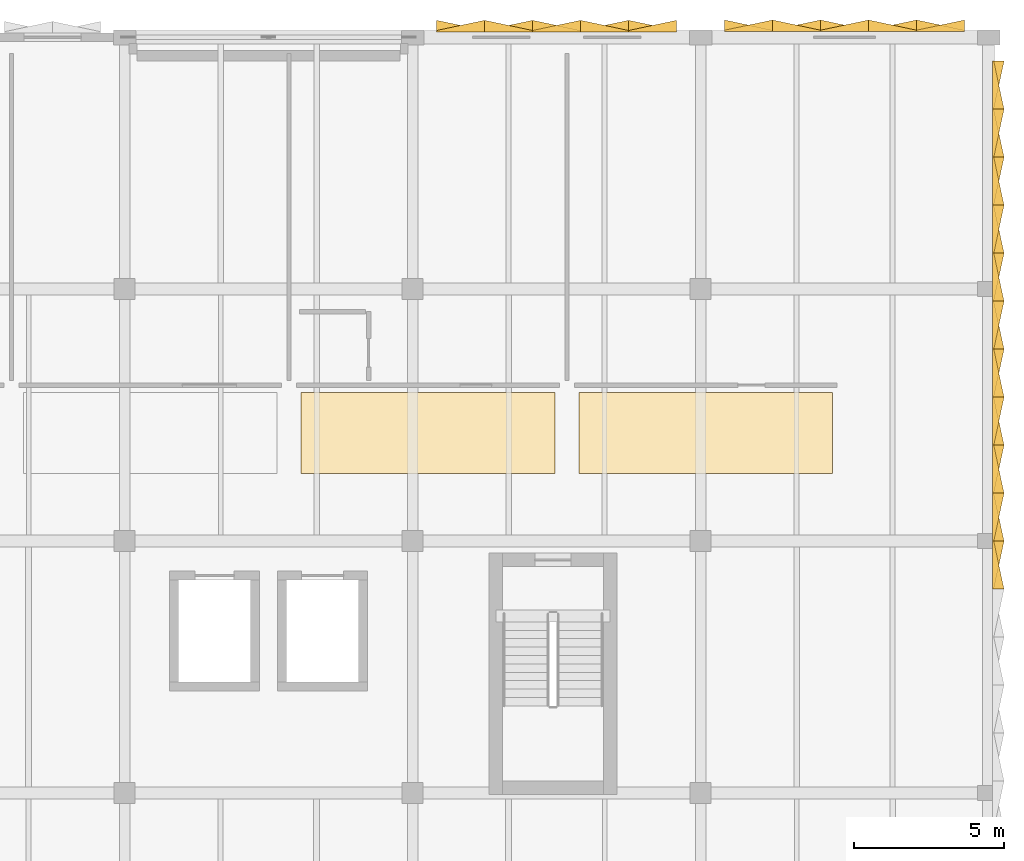
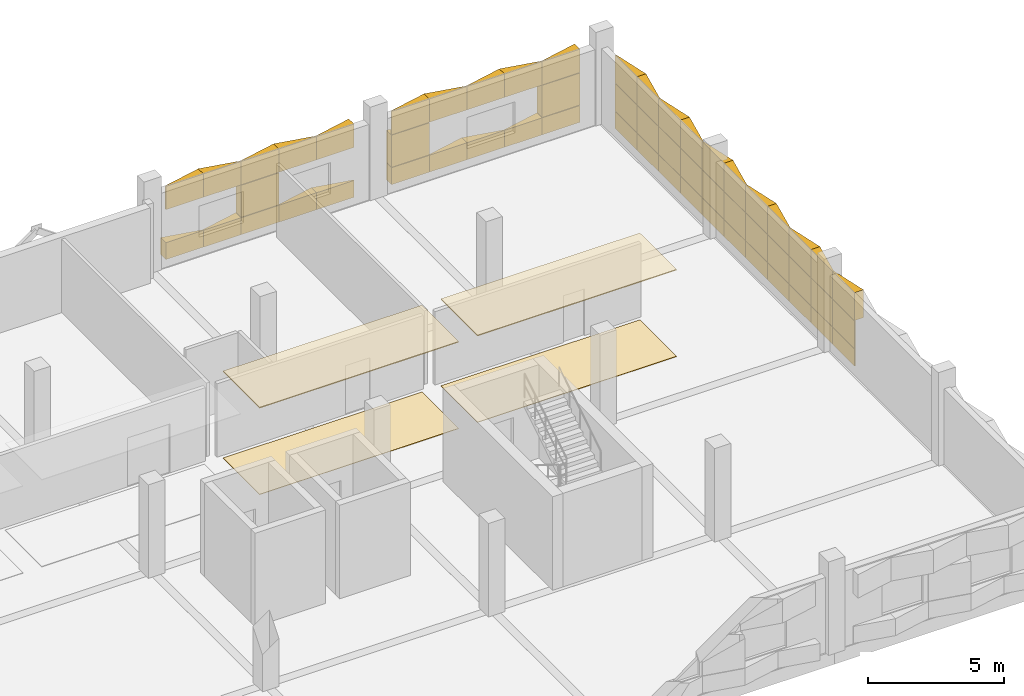
# One storey, part 24 of 24: 60 coverings.
"""IFC4 building model written with IfcOpenShell, lengths in metres."""

from ifc_helpers import new_model, si_unit, direction, frame, origin, place, context, subcontext, project, spatial, polyline, outline, extrude, material, layer, layer_set, type_object, element, save


model = new_model("IFC4")

# Units and contexts
model_context = context("Model", 3, precision=1e-05, world=origin(), true_north=direction((0.0, 1.0)))
body_context = subcontext(model_context, "Body", "Model", "MODEL_VIEW")
ifc_project = project(units=[si_unit("LENGTHUNIT", "METRE"), si_unit("AREAUNIT", "SQUARE_METRE"), si_unit("VOLUMEUNIT", "CUBIC_METRE"), si_unit("PLANEANGLEUNIT", "RADIAN"), si_unit("MASSUNIT", "GRAM", prefix="KILO")], contexts=[model_context])

# Site, building, storey
site_placement = place(None, origin())
site = spatial("IfcSite", under=ifc_project, at=site_placement, CompositionType="ELEMENT")
building_placement = place(site_placement, origin())
building = spatial("IfcBuilding", under=site, at=building_placement, Name="Oolite Switchyard Hospital", CompositionType="ELEMENT")
storey_placement = place(building_placement, frame((0.0, 0.0, 22.0)))
storey = spatial("IfcBuildingStorey", under=building, at=storey_placement, Name="L05", CompositionType="ELEMENT", Elevation=22.0)

# Coverings
ifc_material_1 = material(Name="Hygienic washable mineral-fibre acoustic ceiling")
ifc_layer_1 = layer(ifc_material_1, 0.0400390625)
ifc_layer_set_1 = layer_set([ifc_layer_1], Name="COV-CEIL-AC60")
covering_type_1 = type_object("IfcCoveringType", Name="COV-CEIL-AC60", PredefinedType="CEILING", material=ifc_layer_set_1)
covering_1_placement = place(storey_placement, frame((0.0, 0.0, 3.885009765625)))
element("IfcCovering", 1, at=covering_1_placement, inside=storey, type_object=covering_type_1, Name="L05 East Cardiothoracic Step-Down Corridor Ceiling 6", PredefinedType="CEILING", context=body_context, shape_type="SweptSolid", body=[
    extrude(outline(polyline([(188.284912109375, 119.85009765625), (196.741943359375, 119.85009765625), (196.741943359375, 122.550048828125), (188.284912109375, 122.550048828125), (188.284912109375, 119.85009765625)])), origin(), (0.0, 0.0, 1.0), 0.0400390625),
])
covering_2_placement = place(storey_placement, frame((0.0, 0.0, 3.885009765625)))
element("IfcCovering", 2, at=covering_2_placement, inside=storey, type_object=covering_type_1, Name="L05 East Cardiothoracic Step-Down Corridor Ceiling 7", PredefinedType="CEILING", context=body_context, shape_type="SweptSolid", body=[
    extrude(outline(polyline([(197.5419921875, 119.85009765625), (205.9990234375, 119.85009765625), (205.9990234375, 122.550048828125), (197.5419921875, 122.550048828125), (197.5419921875, 119.85009765625)])), origin(), (0.0, 0.0, 1.0), 0.0400390625),
])
ifc_material_2 = material(Name="Precast oolitic limestone architectural concrete C40/50", Category="masonry")
covering_type_2 = type_object("IfcCoveringType", Name="COV-CHEV-COOL", PredefinedType="CLADDING", material=ifc_material_2)
covering_3_placement = place(storey_placement, frame((192.800048828125, 134.580078125, 0.050048828125), z_axis=(0.0, 0.0, 1.0), x_axis=(1.0, 0.0, 0.0)))
element("IfcCovering", 3, at=covering_3_placement, inside=storey, type_object=covering_type_2, Name="L05 Chevron Precast Oolite Panel 1216", PredefinedType="CLADDING", context=body_context, shape_type="SweptSolid", body=[
    extrude(outline(polyline([(0.0, 0.0), (1.599853515625, 0.0), (1.599853515625, 0.044921875), (0.0, 0.385009765625), (0.0, 0.0)])), origin(), (0.0, 0.0, 1.0), 0.760009765625),
])
covering_4_placement = place(storey_placement, frame((192.800048828125, 134.580078125, 2.2900390625), z_axis=(0.0, 0.0, 1.0), x_axis=(1.0, 0.0, 0.0)))
element("IfcCovering", 4, at=covering_4_placement, inside=storey, type_object=covering_type_2, Name="L05 Chevron Precast Oolite Panel 1217", PredefinedType="CLADDING", context=body_context, shape_type="SweptSolid", body=[
    extrude(outline(polyline([(0.0, 0.0), (1.599853515625, 0.0), (1.599853515625, 0.385009765625), (0.0, 0.044921875), (0.0, 0.0)])), origin(), (0.0, 0.0, 1.0), 1.050048828125),
])
covering_5_placement = place(storey_placement, frame((194.39990234375, 134.580078125, 0.050048828125), z_axis=(0.0, 0.0, 1.0), x_axis=(1.0, 0.0, 0.0)))
element("IfcCovering", 5, at=covering_5_placement, inside=storey, type_object=covering_type_2, Name="L05 Chevron Precast Oolite Panel 1218", PredefinedType="CLADDING", context=body_context, shape_type="SweptSolid", body=[
    extrude(outline(polyline([(0.0, 0.0), (1.60009765625, 0.0), (1.60009765625, 0.385009765625), (0.0, 0.044921875), (0.0, 0.0)])), origin(), (0.0, 0.0, 1.0), 0.760009765625),
])
covering_6_placement = place(storey_placement, frame((194.39990234375, 134.580078125, 2.2900390625), z_axis=(0.0, 0.0, 1.0), x_axis=(1.0, 0.0, 0.0)))
element("IfcCovering", 6, at=covering_6_placement, inside=storey, type_object=covering_type_2, Name="L05 Chevron Precast Oolite Panel 1219", PredefinedType="CLADDING", context=body_context, shape_type="SweptSolid", body=[
    extrude(outline(polyline([(0.0, 0.0), (1.60009765625, 0.0), (1.60009765625, 0.044921875), (0.0, 0.385009765625), (0.0, 0.0)])), origin(), (0.0, 0.0, 1.0), 1.050048828125),
])
covering_7_placement = place(storey_placement, frame((196.0, 134.580078125, 0.050048828125), z_axis=(0.0, 0.0, 1.0), x_axis=(1.0, 0.0, 0.0)))
element("IfcCovering", 7, at=covering_7_placement, inside=storey, type_object=covering_type_2, Name="L05 Chevron Precast Oolite Panel 1220", PredefinedType="CLADDING", context=body_context, shape_type="SweptSolid", body=[
    extrude(outline(polyline([(0.0, 0.0), (1.60009765625, 0.0), (1.60009765625, 0.044921875), (0.0, 0.385009765625), (0.0, 0.0)])), origin(), (0.0, 0.0, 1.0), 0.760009765625),
])
covering_8_placement = place(storey_placement, frame((196.0, 134.580078125, 2.2900390625), z_axis=(0.0, 0.0, 1.0), x_axis=(1.0, 0.0, 0.0)))
element("IfcCovering", 8, at=covering_8_placement, inside=storey, type_object=covering_type_2, Name="L05 Chevron Precast Oolite Panel 1221", PredefinedType="CLADDING", context=body_context, shape_type="SweptSolid", body=[
    extrude(outline(polyline([(0.0, 0.0), (1.60009765625, 0.0), (1.60009765625, 0.385009765625), (0.0, 0.044921875), (0.0, 0.0)])), origin(), (0.0, 0.0, 1.0), 1.050048828125),
])
covering_9_placement = place(storey_placement, frame((196.0, 134.580078125, 0.830078125), z_axis=(0.0, 0.0, 1.0), x_axis=(1.0, 0.0, 0.0)))
element("IfcCovering", 9, at=covering_9_placement, inside=storey, type_object=covering_type_2, Name="L05 Chevron Precast Oolite Panel 1222", PredefinedType="CLADDING", context=body_context, shape_type="SweptSolid", body=[
    extrude(outline(polyline([(0.0, 0.0), (1.60009765625, 0.0), (1.60009765625, 0.044921875), (0.0, 0.385009765625), (0.0, 0.0)])), origin(), (0.0, 0.0, 1.0), 1.43994140625),
])
covering_10_placement = place(storey_placement, frame((197.60009765625, 134.580078125, 0.050048828125), z_axis=(0.0, 0.0, 1.0), x_axis=(1.0, 0.0, 0.0)))
element("IfcCovering", 10, at=covering_10_placement, inside=storey, type_object=covering_type_2, Name="L05 Chevron Precast Oolite Panel 1223", PredefinedType="CLADDING", context=body_context, shape_type="SweptSolid", body=[
    extrude(outline(polyline([(0.0, 0.0), (1.599853515625, 0.0), (1.599853515625, 0.385009765625), (0.0, 0.044921875), (0.0, 0.0)])), origin(), (0.0, 0.0, 1.0), 0.760009765625),
])
covering_11_placement = place(storey_placement, frame((197.60009765625, 134.580078125, 2.2900390625), z_axis=(0.0, 0.0, 1.0), x_axis=(1.0, 0.0, 0.0)))
element("IfcCovering", 11, at=covering_11_placement, inside=storey, type_object=covering_type_2, Name="L05 Chevron Precast Oolite Panel 1224", PredefinedType="CLADDING", context=body_context, shape_type="SweptSolid", body=[
    extrude(outline(polyline([(0.0, 0.0), (1.599853515625, 0.0), (1.599853515625, 0.044921875), (0.0, 0.385009765625), (0.0, 0.0)])), origin(), (0.0, 0.0, 1.0), 1.050048828125),
])
covering_12_placement = place(storey_placement, frame((199.199951171875, 134.580078125, 0.050048828125), z_axis=(0.0, 0.0, 1.0), x_axis=(1.0, 0.0, 0.0)))
element("IfcCovering", 12, at=covering_12_placement, inside=storey, type_object=covering_type_2, Name="L05 Chevron Precast Oolite Panel 1225", PredefinedType="CLADDING", context=body_context, shape_type="SweptSolid", body=[
    extrude(outline(polyline([(0.0, 0.0), (1.60009765625, 0.0), (1.60009765625, 0.044921875), (0.0, 0.385009765625), (0.0, 0.0)])), origin(), (0.0, 0.0, 1.0), 0.760009765625),
])
covering_13_placement = place(storey_placement, frame((199.199951171875, 134.580078125, 2.2900390625), z_axis=(0.0, 0.0, 1.0), x_axis=(1.0, 0.0, 0.0)))
element("IfcCovering", 13, at=covering_13_placement, inside=storey, type_object=covering_type_2, Name="L05 Chevron Precast Oolite Panel 1226", PredefinedType="CLADDING", context=body_context, shape_type="SweptSolid", body=[
    extrude(outline(polyline([(0.0, 0.0), (1.60009765625, 0.0), (1.60009765625, 0.385009765625), (0.0, 0.044921875), (0.0, 0.0)])), origin(), (0.0, 0.0, 1.0), 1.050048828125),
])
covering_14_placement = place(storey_placement, frame((202.39990234375, 134.590087890625, 0.050048828125), z_axis=(0.0, 0.0, 1.0), x_axis=(1.0, 0.0, 0.0)))
element("IfcCovering", 14, at=covering_14_placement, inside=storey, type_object=covering_type_2, Name="L05 Chevron Precast Oolite Panel 1227", PredefinedType="CLADDING", context=body_context, shape_type="SweptSolid", body=[
    extrude(outline(polyline([(0.0, 0.0), (1.60009765625, 0.0), (1.60009765625, 0.044921875), (0.0, 0.385009765625), (0.0, 0.0)])), origin(), (0.0, 0.0, 1.0), 0.760009765625),
])
covering_15_placement = place(storey_placement, frame((202.39990234375, 134.590087890625, 2.2900390625), z_axis=(0.0, 0.0, 1.0), x_axis=(1.0, 0.0, 0.0)))
element("IfcCovering", 15, at=covering_15_placement, inside=storey, type_object=covering_type_2, Name="L05 Chevron Precast Oolite Panel 1228", PredefinedType="CLADDING", context=body_context, shape_type="SweptSolid", body=[
    extrude(outline(polyline([(0.0, 0.0), (1.60009765625, 0.0), (1.60009765625, 0.385009765625), (0.0, 0.044921875), (0.0, 0.0)])), origin(), (0.0, 0.0, 1.0), 1.050048828125),
])
covering_16_placement = place(storey_placement, frame((202.39990234375, 134.590087890625, 0.830078125), z_axis=(0.0, 0.0, 1.0), x_axis=(1.0, 0.0, 0.0)))
element("IfcCovering", 16, at=covering_16_placement, inside=storey, type_object=covering_type_2, Name="L05 Chevron Precast Oolite Panel 1229", PredefinedType="CLADDING", context=body_context, shape_type="SweptSolid", body=[
    extrude(outline(polyline([(0.0, 0.0), (1.60009765625, 0.0), (1.60009765625, 0.044921875), (0.0, 0.385009765625), (0.0, 0.0)])), origin(), (0.0, 0.0, 1.0), 1.43994140625),
])
covering_17_placement = place(storey_placement, frame((204.0, 134.590087890625, 0.050048828125), z_axis=(0.0, 0.0, 1.0), x_axis=(1.0, 0.0, 0.0)))
element("IfcCovering", 17, at=covering_17_placement, inside=storey, type_object=covering_type_2, Name="L05 Chevron Precast Oolite Panel 1230", PredefinedType="CLADDING", context=body_context, shape_type="SweptSolid", body=[
    extrude(outline(polyline([(0.0, 0.0), (1.60009765625, 0.0), (1.60009765625, 0.385009765625), (0.0, 0.044921875), (0.0, 0.0)])), origin(), (0.0, 0.0, 1.0), 0.760009765625),
])
covering_18_placement = place(storey_placement, frame((204.0, 134.590087890625, 2.2900390625), z_axis=(0.0, 0.0, 1.0), x_axis=(1.0, 0.0, 0.0)))
element("IfcCovering", 18, at=covering_18_placement, inside=storey, type_object=covering_type_2, Name="L05 Chevron Precast Oolite Panel 1231", PredefinedType="CLADDING", context=body_context, shape_type="SweptSolid", body=[
    extrude(outline(polyline([(0.0, 0.0), (1.60009765625, 0.0), (1.60009765625, 0.044921875), (0.0, 0.385009765625), (0.0, 0.0)])), origin(), (0.0, 0.0, 1.0), 1.050048828125),
])
covering_19_placement = place(storey_placement, frame((205.60009765625, 134.590087890625, 0.050048828125), z_axis=(0.0, 0.0, 1.0), x_axis=(1.0, 0.0, 0.0)))
element("IfcCovering", 19, at=covering_19_placement, inside=storey, type_object=covering_type_2, Name="L05 Chevron Precast Oolite Panel 1232", PredefinedType="CLADDING", context=body_context, shape_type="SweptSolid", body=[
    extrude(outline(polyline([(0.0, 0.0), (1.599853515625, 0.0), (1.599853515625, 0.044921875), (0.0, 0.385009765625), (0.0, 0.0)])), origin(), (0.0, 0.0, 1.0), 0.760009765625),
])
covering_20_placement = place(storey_placement, frame((205.60009765625, 134.590087890625, 2.2900390625), z_axis=(0.0, 0.0, 1.0), x_axis=(1.0, 0.0, 0.0)))
element("IfcCovering", 20, at=covering_20_placement, inside=storey, type_object=covering_type_2, Name="L05 Chevron Precast Oolite Panel 1233", PredefinedType="CLADDING", context=body_context, shape_type="SweptSolid", body=[
    extrude(outline(polyline([(0.0, 0.0), (1.599853515625, 0.0), (1.599853515625, 0.385009765625), (0.0, 0.044921875), (0.0, 0.0)])), origin(), (0.0, 0.0, 1.0), 1.050048828125),
])
covering_21_placement = place(storey_placement, frame((207.199951171875, 134.590087890625, 0.050048828125), z_axis=(0.0, 0.0, 1.0), x_axis=(1.0, 0.0, 0.0)))
element("IfcCovering", 21, at=covering_21_placement, inside=storey, type_object=covering_type_2, Name="L05 Chevron Precast Oolite Panel 1234", PredefinedType="CLADDING", context=body_context, shape_type="SweptSolid", body=[
    extrude(outline(polyline([(0.0, 0.0), (1.60009765625, 0.0), (1.60009765625, 0.385009765625), (0.0, 0.044921875), (0.0, 0.0)])), origin(), (0.0, 0.0, 1.0), 0.760009765625),
])
covering_22_placement = place(storey_placement, frame((207.199951171875, 134.590087890625, 2.2900390625), z_axis=(0.0, 0.0, 1.0), x_axis=(1.0, 0.0, 0.0)))
element("IfcCovering", 22, at=covering_22_placement, inside=storey, type_object=covering_type_2, Name="L05 Chevron Precast Oolite Panel 1235", PredefinedType="CLADDING", context=body_context, shape_type="SweptSolid", body=[
    extrude(outline(polyline([(0.0, 0.0), (1.60009765625, 0.0), (1.60009765625, 0.044921875), (0.0, 0.385009765625), (0.0, 0.0)])), origin(), (0.0, 0.0, 1.0), 1.050048828125),
])
covering_23_placement = place(storey_placement, frame((208.800048828125, 134.590087890625, 0.050048828125), z_axis=(0.0, 0.0, 1.0), x_axis=(1.0, 0.0, 0.0)))
element("IfcCovering", 23, at=covering_23_placement, inside=storey, type_object=covering_type_2, Name="L05 Chevron Precast Oolite Panel 1236", PredefinedType="CLADDING", context=body_context, shape_type="SweptSolid", body=[
    extrude(outline(polyline([(0.0, 0.0), (1.599853515625, 0.0), (1.599853515625, 0.044921875), (0.0, 0.385009765625), (0.0, 0.0)])), origin(), (0.0, 0.0, 1.0), 0.760009765625),
])
covering_24_placement = place(storey_placement, frame((208.800048828125, 134.590087890625, 2.2900390625), z_axis=(0.0, 0.0, 1.0), x_axis=(1.0, 0.0, 0.0)))
element("IfcCovering", 24, at=covering_24_placement, inside=storey, type_object=covering_type_2, Name="L05 Chevron Precast Oolite Panel 1237", PredefinedType="CLADDING", context=body_context, shape_type="SweptSolid", body=[
    extrude(outline(polyline([(0.0, 0.0), (1.599853515625, 0.0), (1.599853515625, 0.385009765625), (0.0, 0.044921875), (0.0, 0.0)])), origin(), (0.0, 0.0, 1.0), 1.050048828125),
])
covering_25_placement = place(storey_placement, frame((208.800048828125, 134.590087890625, 0.830078125), z_axis=(0.0, 0.0, 1.0), x_axis=(1.0, 0.0, 0.0)))
element("IfcCovering", 25, at=covering_25_placement, inside=storey, type_object=covering_type_2, Name="L05 Chevron Precast Oolite Panel 1238", PredefinedType="CLADDING", context=body_context, shape_type="SweptSolid", body=[
    extrude(outline(polyline([(0.0, 0.0), (1.599853515625, 0.0), (1.599853515625, 0.044921875), (0.0, 0.385009765625), (0.0, 0.0)])), origin(), (0.0, 0.0, 1.0), 1.43994140625),
])
covering_26_placement = place(storey_placement, frame((211.330078125, 133.60009765625, 0.050048828125), z_axis=(0.0, 0.0, 1.0), x_axis=(0.0, -1.0, 0.0)))
element("IfcCovering", 26, at=covering_26_placement, inside=storey, type_object=covering_type_2, Name="L05 Chevron Precast Oolite Panel 1302", PredefinedType="CLADDING", context=body_context, shape_type="SweptSolid", body=[
    extrude(outline(polyline([(0.0, 0.0), (1.60009765625, 0.0), (1.60009765625, 0.044921875), (0.0, 0.385009765625), (0.0, 0.0)])), origin(), (0.0, 0.0, 1.0), 0.760009765625),
])
covering_27_placement = place(storey_placement, frame((211.330078125, 133.60009765625, 2.090087890625), z_axis=(0.0, 0.0, 1.0), x_axis=(0.0, -1.0, 0.0)))
element("IfcCovering", 27, at=covering_27_placement, inside=storey, type_object=covering_type_2, Name="L05 Chevron Precast Oolite Panel 1303", PredefinedType="CLADDING", context=body_context, shape_type="SweptSolid", body=[
    extrude(outline(polyline([(0.0, 0.0), (1.60009765625, 0.0), (1.60009765625, 0.385009765625), (0.0, 0.044921875), (0.0, 0.0)])), origin(), (0.0, 0.0, 1.0), 1.25),
])
covering_28_placement = place(storey_placement, frame((211.330078125, 133.60009765625, 0.830078125), z_axis=(0.0, 0.0, 1.0), x_axis=(0.0, -1.0, 0.0)))
element("IfcCovering", 28, at=covering_28_placement, inside=storey, type_object=covering_type_2, Name="L05 Chevron Precast Oolite Panel 1304", PredefinedType="CLADDING", context=body_context, shape_type="SweptSolid", body=[
    extrude(outline(polyline([(0.0, 0.0), (1.60009765625, 0.0), (1.60009765625, 0.044921875), (0.0, 0.385009765625), (0.0, 0.0)])), origin(), (0.0, 0.0, 1.0), 1.239990234375),
])
covering_29_placement = place(storey_placement, frame((211.330078125, 132.0, 0.050048828125), z_axis=(0.0, 0.0, 1.0), x_axis=(0.0, -1.0, 0.0)))
element("IfcCovering", 29, at=covering_29_placement, inside=storey, type_object=covering_type_2, Name="L05 Chevron Precast Oolite Panel 1305", PredefinedType="CLADDING", context=body_context, shape_type="SweptSolid", body=[
    extrude(outline(polyline([(0.0, 0.0), (1.60009765625, 0.0), (1.60009765625, 0.385009765625), (0.0, 0.044921875), (0.0, 0.0)])), origin(), (0.0, 0.0, 1.0), 0.760009765625),
])
covering_30_placement = place(storey_placement, frame((211.330078125, 132.0, 2.090087890625), z_axis=(0.0, 0.0, 1.0), x_axis=(0.0, -1.0, 0.0)))
element("IfcCovering", 30, at=covering_30_placement, inside=storey, type_object=covering_type_2, Name="L05 Chevron Precast Oolite Panel 1306", PredefinedType="CLADDING", context=body_context, shape_type="SweptSolid", body=[
    extrude(outline(polyline([(0.0, 0.0), (1.60009765625, 0.0), (1.60009765625, 0.044921875), (0.0, 0.385009765625), (0.0, 0.0)])), origin(), (0.0, 0.0, 1.0), 1.25),
])
covering_31_placement = place(storey_placement, frame((211.330078125, 132.0, 0.830078125), z_axis=(0.0, 0.0, 1.0), x_axis=(0.0, -1.0, 0.0)))
element("IfcCovering", 31, at=covering_31_placement, inside=storey, type_object=covering_type_2, Name="L05 Chevron Precast Oolite Panel 1307", PredefinedType="CLADDING", context=body_context, shape_type="SweptSolid", body=[
    extrude(outline(polyline([(0.0, 0.0), (1.60009765625, 0.0), (1.60009765625, 0.385009765625), (0.0, 0.044921875), (0.0, 0.0)])), origin(), (0.0, 0.0, 1.0), 1.239990234375),
])
covering_32_placement = place(storey_placement, frame((211.330078125, 130.39990234375, 0.050048828125), z_axis=(0.0, 0.0, 1.0), x_axis=(0.0, -1.0, 0.0)))
element("IfcCovering", 32, at=covering_32_placement, inside=storey, type_object=covering_type_2, Name="L05 Chevron Precast Oolite Panel 1308", PredefinedType="CLADDING", context=body_context, shape_type="SweptSolid", body=[
    extrude(outline(polyline([(0.0, 0.0), (1.599853515625, 0.0), (1.599853515625, 0.044921875), (0.0, 0.385009765625), (0.0, 0.0)])), origin(), (0.0, 0.0, 1.0), 0.760009765625),
])
covering_33_placement = place(storey_placement, frame((211.330078125, 130.39990234375, 2.090087890625), z_axis=(0.0, 0.0, 1.0), x_axis=(0.0, -1.0, 0.0)))
element("IfcCovering", 33, at=covering_33_placement, inside=storey, type_object=covering_type_2, Name="L05 Chevron Precast Oolite Panel 1309", PredefinedType="CLADDING", context=body_context, shape_type="SweptSolid", body=[
    extrude(outline(polyline([(0.0, 0.0), (1.599853515625, 0.0), (1.599853515625, 0.385009765625), (0.0, 0.044921875), (0.0, 0.0)])), origin(), (0.0, 0.0, 1.0), 1.25),
])
covering_34_placement = place(storey_placement, frame((211.330078125, 130.39990234375, 0.830078125), z_axis=(0.0, 0.0, 1.0), x_axis=(0.0, -1.0, 0.0)))
element("IfcCovering", 34, at=covering_34_placement, inside=storey, type_object=covering_type_2, Name="L05 Chevron Precast Oolite Panel 1310", PredefinedType="CLADDING", context=body_context, shape_type="SweptSolid", body=[
    extrude(outline(polyline([(0.0, 0.0), (1.599853515625, 0.0), (1.599853515625, 0.044921875), (0.0, 0.385009765625), (0.0, 0.0)])), origin(), (0.0, 0.0, 1.0), 1.239990234375),
])
covering_35_placement = place(storey_placement, frame((211.330078125, 128.800048828125, 0.050048828125), z_axis=(0.0, 0.0, 1.0), x_axis=(0.0, -1.0, 0.0)))
element("IfcCovering", 35, at=covering_35_placement, inside=storey, type_object=covering_type_2, Name="L05 Chevron Precast Oolite Panel 1311", PredefinedType="CLADDING", context=body_context, shape_type="SweptSolid", body=[
    extrude(outline(polyline([(0.0, 0.0), (1.60009765625, 0.0), (1.60009765625, 0.385009765625), (0.0, 0.044921875), (0.0, 0.0)])), origin(), (0.0, 0.0, 1.0), 0.760009765625),
])
covering_36_placement = place(storey_placement, frame((211.330078125, 128.800048828125, 2.090087890625), z_axis=(0.0, 0.0, 1.0), x_axis=(0.0, -1.0, 0.0)))
element("IfcCovering", 36, at=covering_36_placement, inside=storey, type_object=covering_type_2, Name="L05 Chevron Precast Oolite Panel 1312", PredefinedType="CLADDING", context=body_context, shape_type="SweptSolid", body=[
    extrude(outline(polyline([(0.0, 0.0), (1.60009765625, 0.0), (1.60009765625, 0.044921875), (0.0, 0.385009765625), (0.0, 0.0)])), origin(), (0.0, 0.0, 1.0), 1.25),
])
covering_37_placement = place(storey_placement, frame((211.330078125, 128.800048828125, 0.830078125), z_axis=(0.0, 0.0, 1.0), x_axis=(0.0, -1.0, 0.0)))
element("IfcCovering", 37, at=covering_37_placement, inside=storey, type_object=covering_type_2, Name="L05 Chevron Precast Oolite Panel 1313", PredefinedType="CLADDING", context=body_context, shape_type="SweptSolid", body=[
    extrude(outline(polyline([(0.0, 0.0), (1.60009765625, 0.0), (1.60009765625, 0.385009765625), (0.0, 0.044921875), (0.0, 0.0)])), origin(), (0.0, 0.0, 1.0), 1.239990234375),
])
covering_38_placement = place(storey_placement, frame((211.330078125, 127.199951171875, 0.050048828125), z_axis=(0.0, 0.0, 1.0), x_axis=(0.0, -1.0, 0.0)))
element("IfcCovering", 38, at=covering_38_placement, inside=storey, type_object=covering_type_2, Name="L05 Chevron Precast Oolite Panel 1314", PredefinedType="CLADDING", context=body_context, shape_type="SweptSolid", body=[
    extrude(outline(polyline([(0.0, 0.0), (1.599853515625, 0.0), (1.599853515625, 0.044921875), (0.0, 0.385009765625), (0.0, 0.0)])), origin(), (0.0, 0.0, 1.0), 0.760009765625),
])
covering_39_placement = place(storey_placement, frame((211.330078125, 127.199951171875, 2.090087890625), z_axis=(0.0, 0.0, 1.0), x_axis=(0.0, -1.0, 0.0)))
element("IfcCovering", 39, at=covering_39_placement, inside=storey, type_object=covering_type_2, Name="L05 Chevron Precast Oolite Panel 1315", PredefinedType="CLADDING", context=body_context, shape_type="SweptSolid", body=[
    extrude(outline(polyline([(0.0, 0.0), (1.599853515625, 0.0), (1.599853515625, 0.385009765625), (0.0, 0.044921875), (0.0, 0.0)])), origin(), (0.0, 0.0, 1.0), 1.25),
])
covering_40_placement = place(storey_placement, frame((211.330078125, 127.199951171875, 0.830078125), z_axis=(0.0, 0.0, 1.0), x_axis=(0.0, -1.0, 0.0)))
element("IfcCovering", 40, at=covering_40_placement, inside=storey, type_object=covering_type_2, Name="L05 Chevron Precast Oolite Panel 1316", PredefinedType="CLADDING", context=body_context, shape_type="SweptSolid", body=[
    extrude(outline(polyline([(0.0, 0.0), (1.599853515625, 0.0), (1.599853515625, 0.044921875), (0.0, 0.385009765625), (0.0, 0.0)])), origin(), (0.0, 0.0, 1.0), 1.239990234375),
])
covering_41_placement = place(storey_placement, frame((211.330078125, 125.60009765625, 0.050048828125), z_axis=(0.0, 0.0, 1.0), x_axis=(0.0, -1.0, 0.0)))
element("IfcCovering", 41, at=covering_41_placement, inside=storey, type_object=covering_type_2, Name="L05 Chevron Precast Oolite Panel 1317", PredefinedType="CLADDING", context=body_context, shape_type="SweptSolid", body=[
    extrude(outline(polyline([(0.0, 0.0), (1.60009765625, 0.0), (1.60009765625, 0.385009765625), (0.0, 0.044921875), (0.0, 0.0)])), origin(), (0.0, 0.0, 1.0), 0.760009765625),
])
covering_42_placement = place(storey_placement, frame((211.330078125, 125.60009765625, 2.090087890625), z_axis=(0.0, 0.0, 1.0), x_axis=(0.0, -1.0, 0.0)))
element("IfcCovering", 42, at=covering_42_placement, inside=storey, type_object=covering_type_2, Name="L05 Chevron Precast Oolite Panel 1318", PredefinedType="CLADDING", context=body_context, shape_type="SweptSolid", body=[
    extrude(outline(polyline([(0.0, 0.0), (1.60009765625, 0.0), (1.60009765625, 0.044921875), (0.0, 0.385009765625), (0.0, 0.0)])), origin(), (0.0, 0.0, 1.0), 1.25),
])
covering_43_placement = place(storey_placement, frame((211.330078125, 125.60009765625, 0.830078125), z_axis=(0.0, 0.0, 1.0), x_axis=(0.0, -1.0, 0.0)))
element("IfcCovering", 43, at=covering_43_placement, inside=storey, type_object=covering_type_2, Name="L05 Chevron Precast Oolite Panel 1319", PredefinedType="CLADDING", context=body_context, shape_type="SweptSolid", body=[
    extrude(outline(polyline([(0.0, 0.0), (1.60009765625, 0.0), (1.60009765625, 0.385009765625), (0.0, 0.044921875), (0.0, 0.0)])), origin(), (0.0, 0.0, 1.0), 1.239990234375),
])
covering_44_placement = place(storey_placement, frame((211.330078125, 124.0, 0.050048828125), z_axis=(0.0, 0.0, 1.0), x_axis=(0.0, -1.0, 0.0)))
element("IfcCovering", 44, at=covering_44_placement, inside=storey, type_object=covering_type_2, Name="L05 Chevron Precast Oolite Panel 1320", PredefinedType="CLADDING", context=body_context, shape_type="SweptSolid", body=[
    extrude(outline(polyline([(0.0, 0.0), (1.60009765625, 0.0), (1.60009765625, 0.044921875), (0.0, 0.385009765625), (0.0, 0.0)])), origin(), (0.0, 0.0, 1.0), 0.760009765625),
])
covering_45_placement = place(storey_placement, frame((211.330078125, 124.0, 2.090087890625), z_axis=(0.0, 0.0, 1.0), x_axis=(0.0, -1.0, 0.0)))
element("IfcCovering", 45, at=covering_45_placement, inside=storey, type_object=covering_type_2, Name="L05 Chevron Precast Oolite Panel 1321", PredefinedType="CLADDING", context=body_context, shape_type="SweptSolid", body=[
    extrude(outline(polyline([(0.0, 0.0), (1.60009765625, 0.0), (1.60009765625, 0.385009765625), (0.0, 0.044921875), (0.0, 0.0)])), origin(), (0.0, 0.0, 1.0), 1.25),
])
covering_46_placement = place(storey_placement, frame((211.330078125, 124.0, 0.830078125), z_axis=(0.0, 0.0, 1.0), x_axis=(0.0, -1.0, 0.0)))
element("IfcCovering", 46, at=covering_46_placement, inside=storey, type_object=covering_type_2, Name="L05 Chevron Precast Oolite Panel 1322", PredefinedType="CLADDING", context=body_context, shape_type="SweptSolid", body=[
    extrude(outline(polyline([(0.0, 0.0), (1.60009765625, 0.0), (1.60009765625, 0.044921875), (0.0, 0.385009765625), (0.0, 0.0)])), origin(), (0.0, 0.0, 1.0), 1.239990234375),
])
covering_47_placement = place(storey_placement, frame((211.330078125, 122.39990234375, 0.050048828125), z_axis=(0.0, 0.0, 1.0), x_axis=(0.0, -1.0, 0.0)))
element("IfcCovering", 47, at=covering_47_placement, inside=storey, type_object=covering_type_2, Name="L05 Chevron Precast Oolite Panel 1323", PredefinedType="CLADDING", context=body_context, shape_type="SweptSolid", body=[
    extrude(outline(polyline([(0.0, 0.0), (1.599853515625, 0.0), (1.599853515625, 0.385009765625), (0.0, 0.044921875), (0.0, 0.0)])), origin(), (0.0, 0.0, 1.0), 0.760009765625),
])
covering_48_placement = place(storey_placement, frame((211.330078125, 122.39990234375, 2.090087890625), z_axis=(0.0, 0.0, 1.0), x_axis=(0.0, -1.0, 0.0)))
element("IfcCovering", 48, at=covering_48_placement, inside=storey, type_object=covering_type_2, Name="L05 Chevron Precast Oolite Panel 1324", PredefinedType="CLADDING", context=body_context, shape_type="SweptSolid", body=[
    extrude(outline(polyline([(0.0, 0.0), (1.599853515625, 0.0), (1.599853515625, 0.044921875), (0.0, 0.385009765625), (0.0, 0.0)])), origin(), (0.0, 0.0, 1.0), 1.25),
])
covering_49_placement = place(storey_placement, frame((211.330078125, 122.39990234375, 0.830078125), z_axis=(0.0, 0.0, 1.0), x_axis=(0.0, -1.0, 0.0)))
element("IfcCovering", 49, at=covering_49_placement, inside=storey, type_object=covering_type_2, Name="L05 Chevron Precast Oolite Panel 1325", PredefinedType="CLADDING", context=body_context, shape_type="SweptSolid", body=[
    extrude(outline(polyline([(0.0, 0.0), (1.599853515625, 0.0), (1.599853515625, 0.385009765625), (0.0, 0.044921875), (0.0, 0.0)])), origin(), (0.0, 0.0, 1.0), 1.239990234375),
])
covering_50_placement = place(storey_placement, frame((211.330078125, 120.800048828125, 0.050048828125), z_axis=(0.0, 0.0, 1.0), x_axis=(0.0, -1.0, 0.0)))
element("IfcCovering", 50, at=covering_50_placement, inside=storey, type_object=covering_type_2, Name="L05 Chevron Precast Oolite Panel 1326", PredefinedType="CLADDING", context=body_context, shape_type="SweptSolid", body=[
    extrude(outline(polyline([(0.0, 0.0), (1.60009765625, 0.0), (1.60009765625, 0.044921875), (0.0, 0.385009765625), (0.0, 0.0)])), origin(), (0.0, 0.0, 1.0), 0.760009765625),
])
covering_51_placement = place(storey_placement, frame((211.330078125, 120.800048828125, 2.090087890625), z_axis=(0.0, 0.0, 1.0), x_axis=(0.0, -1.0, 0.0)))
element("IfcCovering", 51, at=covering_51_placement, inside=storey, type_object=covering_type_2, Name="L05 Chevron Precast Oolite Panel 1327", PredefinedType="CLADDING", context=body_context, shape_type="SweptSolid", body=[
    extrude(outline(polyline([(0.0, 0.0), (1.60009765625, 0.0), (1.60009765625, 0.385009765625), (0.0, 0.044921875), (0.0, 0.0)])), origin(), (0.0, 0.0, 1.0), 1.25),
])
covering_52_placement = place(storey_placement, frame((211.330078125, 120.800048828125, 0.830078125), z_axis=(0.0, 0.0, 1.0), x_axis=(0.0, -1.0, 0.0)))
element("IfcCovering", 52, at=covering_52_placement, inside=storey, type_object=covering_type_2, Name="L05 Chevron Precast Oolite Panel 1328", PredefinedType="CLADDING", context=body_context, shape_type="SweptSolid", body=[
    extrude(outline(polyline([(0.0, 0.0), (1.60009765625, 0.0), (1.60009765625, 0.044921875), (0.0, 0.385009765625), (0.0, 0.0)])), origin(), (0.0, 0.0, 1.0), 1.239990234375),
])
covering_53_placement = place(storey_placement, frame((211.330078125, 119.199951171875, 0.050048828125), z_axis=(0.0, 0.0, 1.0), x_axis=(0.0, -1.0, 0.0)))
element("IfcCovering", 53, at=covering_53_placement, inside=storey, type_object=covering_type_2, Name="L05 Chevron Precast Oolite Panel 1329", PredefinedType="CLADDING", context=body_context, shape_type="SweptSolid", body=[
    extrude(outline(polyline([(0.0, 0.0), (1.599853515625, 0.0), (1.599853515625, 0.385009765625), (0.0, 0.044921875), (0.0, 0.0)])), origin(), (0.0, 0.0, 1.0), 0.760009765625),
])
covering_54_placement = place(storey_placement, frame((211.330078125, 119.199951171875, 2.090087890625), z_axis=(0.0, 0.0, 1.0), x_axis=(0.0, -1.0, 0.0)))
element("IfcCovering", 54, at=covering_54_placement, inside=storey, type_object=covering_type_2, Name="L05 Chevron Precast Oolite Panel 1330", PredefinedType="CLADDING", context=body_context, shape_type="SweptSolid", body=[
    extrude(outline(polyline([(0.0, 0.0), (1.599853515625, 0.0), (1.599853515625, 0.044921875), (0.0, 0.385009765625), (0.0, 0.0)])), origin(), (0.0, 0.0, 1.0), 1.25),
])
covering_55_placement = place(storey_placement, frame((211.330078125, 119.199951171875, 0.830078125), z_axis=(0.0, 0.0, 1.0), x_axis=(0.0, -1.0, 0.0)))
element("IfcCovering", 55, at=covering_55_placement, inside=storey, type_object=covering_type_2, Name="L05 Chevron Precast Oolite Panel 1331", PredefinedType="CLADDING", context=body_context, shape_type="SweptSolid", body=[
    extrude(outline(polyline([(0.0, 0.0), (1.599853515625, 0.0), (1.599853515625, 0.385009765625), (0.0, 0.044921875), (0.0, 0.0)])), origin(), (0.0, 0.0, 1.0), 1.239990234375),
])
covering_56_placement = place(storey_placement, frame((211.330078125, 117.60009765625, 0.050048828125), z_axis=(0.0, 0.0, 1.0), x_axis=(0.0, -1.0, 0.0)))
element("IfcCovering", 56, at=covering_56_placement, inside=storey, type_object=covering_type_2, Name="L05 Chevron Precast Oolite Panel 1332", PredefinedType="CLADDING", context=body_context, shape_type="SweptSolid", body=[
    extrude(outline(polyline([(0.0, 0.0), (1.60009765625, 0.0), (1.60009765625, 0.044921875), (0.0, 0.385009765625), (0.0, 0.0)])), origin(), (0.0, 0.0, 1.0), 0.760009765625),
])
covering_57_placement = place(storey_placement, frame((211.330078125, 117.60009765625, 2.090087890625), z_axis=(0.0, 0.0, 1.0), x_axis=(0.0, -1.0, 0.0)))
element("IfcCovering", 57, at=covering_57_placement, inside=storey, type_object=covering_type_2, Name="L05 Chevron Precast Oolite Panel 1333", PredefinedType="CLADDING", context=body_context, shape_type="SweptSolid", body=[
    extrude(outline(polyline([(0.0, 0.0), (1.60009765625, 0.0), (1.60009765625, 0.385009765625), (0.0, 0.044921875), (0.0, 0.0)])), origin(), (0.0, 0.0, 1.0), 1.25),
])
covering_58_placement = place(storey_placement, frame((211.330078125, 117.60009765625, 0.830078125), z_axis=(0.0, 0.0, 1.0), x_axis=(0.0, -1.0, 0.0)))
element("IfcCovering", 58, at=covering_58_placement, inside=storey, type_object=covering_type_2, Name="L05 Chevron Precast Oolite Panel 1334", PredefinedType="CLADDING", context=body_context, shape_type="SweptSolid", body=[
    extrude(outline(polyline([(0.0, 0.0), (1.60009765625, 0.0), (1.60009765625, 0.044921875), (0.0, 0.385009765625), (0.0, 0.0)])), origin(), (0.0, 0.0, 1.0), 1.239990234375),
])
ifc_material_3 = material(Name="Epoxy terrazzo seamless clinical flooring")
ifc_layer_2 = layer(ifc_material_3, 0.02001953125)
ifc_layer_set_2 = layer_set([ifc_layer_2], Name="COV-FLR-TER20")
covering_type_3 = type_object("IfcCoveringType", Name="COV-FLR-TER20", PredefinedType="FLOORING", material=ifc_layer_set_2)
covering_59_placement = place(storey_placement, origin())
element("IfcCovering", 59, at=covering_59_placement, inside=storey, type_object=covering_type_3, Name="L05 East Cardiothoracic Step-Down Corridor Flooring 6", PredefinedType="FLOORING", context=body_context, shape_type="SweptSolid", body=[
    extrude(outline(polyline([(188.284912109375, 119.85009765625), (196.741943359375, 119.85009765625), (196.741943359375, 122.550048828125), (188.284912109375, 122.550048828125), (188.284912109375, 119.85009765625)])), origin(), (0.0, 0.0, 1.0), 0.02001953125),
])
covering_60_placement = place(storey_placement, origin())
element("IfcCovering", 60, at=covering_60_placement, inside=storey, type_object=covering_type_3, Name="L05 East Cardiothoracic Step-Down Corridor Flooring 7", PredefinedType="FLOORING", context=body_context, shape_type="SweptSolid", body=[
    extrude(outline(polyline([(197.5419921875, 119.85009765625), (205.9990234375, 119.85009765625), (205.9990234375, 122.550048828125), (197.5419921875, 122.550048828125), (197.5419921875, 119.85009765625)])), origin(), (0.0, 0.0, 1.0), 0.02001953125),
])

save(model, "model.ifc")
